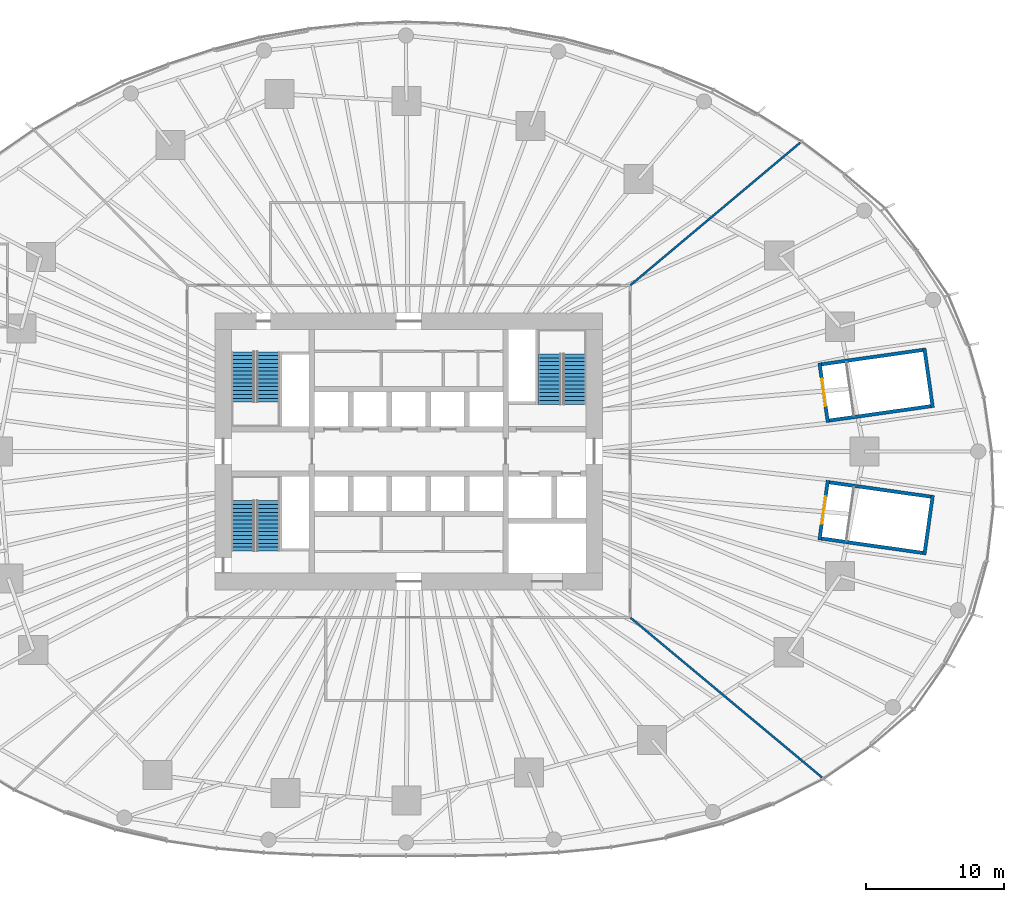
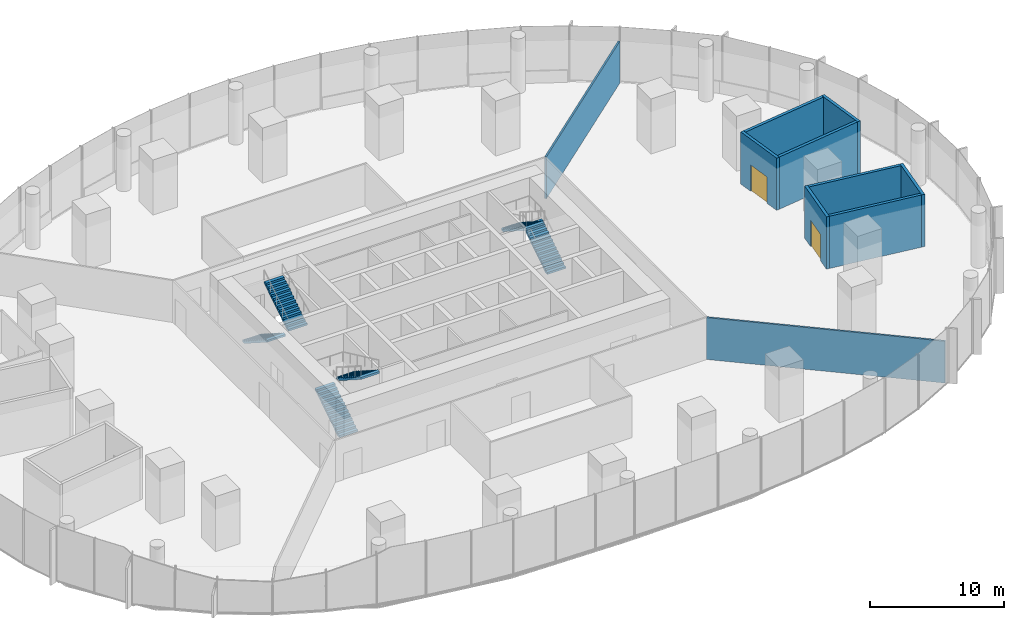
# One storey, part 14 of 27: 10 walls, 6 stair flights, 2 doors, 2 openings, 3 elements without a shape of their own.
"""IFC4 building model written with IfcOpenShell, lengths in metres."""

import ifcopenshell
import ifcopenshell.guid

model = None  # the IFC model being written
_history = None  # IfcOwnerHistory: only IFC2X3 demands one
_inside = {}  # id of a spatial element -> (the spatial element, [elements in it])
_under = {}  # id of a project, library or spatial element -> (it, [spatial elements below it])
_declared = {}  # id of a project -> (the project, [libraries it declares])
_typed = {}  # id of a type object -> (the type object, [elements of that type])
_made_of = {}  # id of a material, layer set ... -> (it, [elements and type objects made of it])


def new_model(schema):
    """Start an empty IFC model of exactly this schema.

    Asked for "IFC4X3", IfcOpenShell would pick the latest addendum, in which some entities
    have other attributes; the version numbers below select the first issue.
    IFC2X3 requires an IfcOwnerHistory on every rooted entity: one is made here for all.
    """
    global model, _history
    if schema == "IFC4X3":
        model = ifcopenshell.file(schema_version=(4, 3, 0, 0))
    else:
        model = ifcopenshell.file(schema=schema)
    _inside.clear()
    _under.clear()
    _declared.clear()
    _typed.clear()
    _made_of.clear()
    _history = None
    if model.schema == "IFC2X3":
        org = make("IfcOrganization", Name="unknown")
        user = make(
            "IfcPersonAndOrganization",
            ThePerson=make("IfcPerson", FamilyName="unknown"),
            TheOrganization=org,
        )
        app = make(
            "IfcApplication",
            ApplicationDeveloper=org,
            Version="unknown",
            ApplicationFullName="unknown",
            ApplicationIdentifier="unknown",
        )
        _history = make(
            "IfcOwnerHistory",
            OwningUser=user,
            OwningApplication=app,
            ChangeAction="ADDED",
            CreationDate=0,
        )
    return model


def make(cls, **values):
    """One entity of the class cls with the attributes given. An attribute that is None is left unset."""
    return model.create_entity(
        cls, **{name: value for name, value in values.items() if value is not None}
    )


def rooted(cls, **values):
    """An entity with a GlobalId (a new one), such as an element, a storey or a relation."""
    return make(cls, GlobalId=ifcopenshell.guid.new(), OwnerHistory=_history, **values)


def si_unit(unit_type, name, prefix=None):
    """IfcSIUnit, for example si_unit("LENGTHUNIT", "METRE", prefix="MILLI")."""
    return make("IfcSIUnit", UnitType=unit_type, Prefix=prefix, Name=name)


def assignment(units):
    """IfcUnitAssignment: the units of a project."""
    return None if units is None else make("IfcUnitAssignment", Units=units)


def point(xyz):
    """IfcCartesianPoint."""
    return None if xyz is None else make("IfcCartesianPoint", Coordinates=xyz)


def direction(xyz):
    """IfcDirection."""
    return None if xyz is None else make("IfcDirection", DirectionRatios=xyz)


def frame(location, z_axis=None, x_axis=None):
    """IfcAxis2Placement3D, a coordinate frame: its origin and axes. An axis left out is left unset."""
    return make(
        "IfcAxis2Placement3D",
        Location=point(location),
        Axis=direction(z_axis),
        RefDirection=direction(x_axis),
    )


def frame_2d(location, x_axis=None):
    """IfcAxis2Placement2D, a coordinate frame in the plane: its origin and x axis."""
    return make(
        "IfcAxis2Placement2D", Location=point(location), RefDirection=direction(x_axis)
    )


def origin():
    """The frame at (0, 0, 0) with its axes left unset."""
    return frame((0.0, 0.0, 0.0))


def place(relative_to, where):
    """IfcLocalPlacement: puts the frame where relative to a parent placement (None: the world)."""
    return make(
        "IfcLocalPlacement", PlacementRelTo=relative_to, RelativePlacement=where
    )


def context(
    kind, dimensions, precision=None, world=None, true_north=None, identifier=None
):
    """IfcGeometricRepresentationContext, for example the 3D "Model" context."""
    return make(
        "IfcGeometricRepresentationContext",
        ContextIdentifier=identifier,
        ContextType=kind,
        CoordinateSpaceDimension=dimensions,
        Precision=precision,
        WorldCoordinateSystem=world,
        TrueNorth=true_north,
    )


def subcontext(parent, identifier, kind, view, scale=None):
    """IfcGeometricRepresentationSubContext, for example "Body" below "Model"."""
    return make(
        "IfcGeometricRepresentationSubContext",
        ContextIdentifier=identifier,
        ContextType=kind,
        ParentContext=parent,
        TargetScale=scale,
        TargetView=view,
    )


def project(units=None, contexts=None):
    """IfcProject with its units and contexts."""
    return rooted(
        "IfcProject",
        Name="project",
        RepresentationContexts=contexts,
        UnitsInContext=assignment(units),
    )


def spatial(cls, under=None, at=None, **own):
    """A site, building, storey or space (cls), placed at a placement, below another one or the project."""
    s = rooted(cls, ObjectPlacement=at, **own)
    if under is not None:
        _under.setdefault(under.id(), (under, []))[1].append(s)
    return s


def polyline(points):
    """IfcPolyline through the points."""
    return make("IfcPolyline", Points=[point(p) for p in points])


def profile(cls, at=None, kind="AREA", **sizes):
    """A parametric profile (cls). Its sizes go by their IFC names, for example OverallWidth=200.0."""
    return make(cls, ProfileType=kind, Position=at, **sizes)


def rectangle(**sizes):
    """IfcRectangleProfileDef."""
    return profile("IfcRectangleProfileDef", **sizes)


def outline(outer, holes=None, kind="AREA"):
    """IfcArbitraryClosedProfileDef: a profile drawn as a closed curve; with holes, ...WithVoids."""
    if holes is None:
        return make("IfcArbitraryClosedProfileDef", ProfileType=kind, OuterCurve=outer)
    return make(
        "IfcArbitraryProfileDefWithVoids",
        ProfileType=kind,
        OuterCurve=outer,
        InnerCurves=holes,
    )


def extrude(swept, where, along, depth):
    """IfcExtrudedAreaSolid: the profile swept, set in the frame where, extruded along a direction by depth."""
    return make(
        "IfcExtrudedAreaSolid",
        SweptArea=swept,
        Position=where,
        ExtrudedDirection=direction(along),
        Depth=depth,
    )


def shape(context_of_items, identifier, shape_type, items):
    """IfcShapeRepresentation: the items that make up one representation, for example the "Body"."""
    return make(
        "IfcShapeRepresentation",
        ContextOfItems=context_of_items,
        RepresentationIdentifier=identifier,
        RepresentationType=shape_type,
        Items=items,
    )


def material(Name=None, Category=None):
    """IfcMaterial."""
    return make("IfcMaterial", Name=Name, Category=Category)


def layer(
    of_material, thickness, ventilated=None, Name=None, Category=None, Priority=None
):
    """IfcMaterialLayer: one layer of a wall or slab, of a material (None: an air gap)."""
    return make(
        "IfcMaterialLayer",
        Material=of_material,
        LayerThickness=thickness,
        IsVentilated=ventilated,
        Name=Name,
        Category=Category,
        Priority=Priority,
    )


def layer_set(layers, Name=None):
    """IfcMaterialLayerSet."""
    return make("IfcMaterialLayerSet", MaterialLayers=layers, LayerSetName=Name)


def made_of(thing, what):
    """Note that an element or type object is made of a material, layer set ...; save() writes the relation."""
    if what is not None:
        _made_of.setdefault(what.id(), (what, []))[1].append(thing)
    return thing


def type_object(cls, material=None, **own):
    """A type object (cls), such as IfcWallType, which elements share."""
    return made_of(rooted(cls, **own), material)


def element(
    cls,
    number,
    at=None,
    inside=None,
    cuts=None,
    type_object=None,
    material=None,
    context=None,
    identifier="Body",
    shape_type=None,
    held_by="IfcProductDefinitionShape",
    body=None,
    shapes=None,
    **own,
):
    """One element of the class cls, such as IfcWall. Its Tag is "e" and its number.

    at: its placement. inside: the storey or other place that contains it. cuts: it is an
    opening in that element (IfcRelVoidsElement). A single representation is given by context,
    identifier, shape_type and body (its items); several are given by shapes. held_by: the class
    of the entity that holds the representations. save() writes the other relations.
    """
    e = rooted(cls, Tag="e%d" % number, ObjectPlacement=at, **own)
    if body is not None:
        shapes = [shape(context, identifier, shape_type, body)]
    if shapes is not None:
        e.Representation = make(held_by, Representations=shapes)
    if inside is not None:
        _inside.setdefault(inside.id(), (inside, []))[1].append(e)
    if cuts is not None:
        rooted(
            "IfcRelVoidsElement", RelatingBuildingElement=cuts, RelatedOpeningElement=e
        )
    if type_object is not None:
        _typed.setdefault(type_object.id(), (type_object, []))[1].append(e)
    return made_of(e, material)


def fill(opening, filler):
    """IfcRelFillsElement: the door or window that sits in an opening."""
    return rooted(
        "IfcRelFillsElement",
        RelatingOpeningElement=opening,
        RelatedBuildingElement=filler,
    )


def aggregate(whole, parts):
    """IfcRelAggregates: a whole, such as a stair, and the parts it consists of."""
    return rooted("IfcRelAggregates", RelatingObject=whole, RelatedObjects=parts)


def save(model, path):
    """Write the relations noted so far, then the file.

    IfcRelAggregates (storeys below a building ...), IfcRelContainedInSpatialStructure (elements
    in a storey), IfcRelDefinesByType, IfcRelAssociatesMaterial and IfcRelDeclares: one each for
    every whole, place, type object, material and project.
    """
    for whole, parts in _under.values():
        aggregate(whole, parts)
    for where, things in _inside.values():
        rooted(
            "IfcRelContainedInSpatialStructure",
            RelatedElements=things,
            RelatingStructure=where,
        )
    for kind, things in _typed.values():
        rooted("IfcRelDefinesByType", RelatedObjects=things, RelatingType=kind)
    for what, things in _made_of.values():
        rooted("IfcRelAssociatesMaterial", RelatedObjects=things, RelatingMaterial=what)
    for by, libraries in _declared.values():
        rooted("IfcRelDeclares", RelatingContext=by, RelatedDefinitions=libraries)
    model.write(path)


model = new_model("IFC4")

# Units and contexts
model_context = context("Model", 3, precision=1e-05, world=origin(), true_north=direction((0.0, 1.0)))
body_context = subcontext(model_context, "Body", "Model", "MODEL_VIEW")
ifc_project = project(units=[si_unit("LENGTHUNIT", "METRE"), si_unit("AREAUNIT", "SQUARE_METRE"), si_unit("VOLUMEUNIT", "CUBIC_METRE"), si_unit("PLANEANGLEUNIT", "RADIAN"), si_unit("MASSUNIT", "GRAM", prefix="KILO")], contexts=[model_context])

# Site, building, storey
site_placement = place(None, origin())
site = spatial("IfcSite", under=ifc_project, at=site_placement, CompositionType="ELEMENT")
building_placement = place(site_placement, origin())
building = spatial("IfcBuilding", under=site, at=building_placement, Name="Ghaith Harvest Tower", CompositionType="ELEMENT")
storey_placement = place(building_placement, frame((0.0, 0.0, 10.0)))
storey = spatial("IfcBuildingStorey", under=building, at=storey_placement, Name="L02", CompositionType="ELEMENT", Elevation=10.0)

# Walls
ifc_material_1 = material(Name="Gypsum board on steel studs", Category="steel")
ifc_layer_1 = layer(ifc_material_1, 0.14990234375)
ifc_layer_set_1 = layer_set([ifc_layer_1], Name="PARTITION 150")
wall_type_1 = type_object("IfcWallType", Name="PARTITION 150", PredefinedType="PARTITIONING", material=ifc_layer_set_1)
wall_1_placement = place(storey_placement, frame((16.015380859375, -12.0126953125, 0.0), z_axis=(0.0, 0.0, 1.0), x_axis=(0.768089154528, -0.640342916488, 0.0)))
element("IfcWall", 1, at=wall_1_placement, inside=storey, type_object=wall_type_1, Name="Partition L02 zone division", PredefinedType="PARTITIONING", context=body_context, shape_type="SweptSolid", body=[
    extrude(rectangle(XDim=18.02587890625, YDim=0.14990234375, at=frame_2d((9.012939453125, 0.0))), origin(), (0.0, 0.0, 1.0), 3.800048828125),
])
wall_2_placement = place(storey_placement, frame((16.015380859375, 12.012939453125, 0.0), z_axis=(0.0, 0.0, 1.0), x_axis=(0.765915114931, 0.642941705538, 0.0)))
element("IfcWall", 2, at=wall_2_placement, inside=storey, type_object=wall_type_1, Name="Partition L02 zone division", PredefinedType="PARTITIONING", context=body_context, shape_type="SweptSolid", body=[
    extrude(rectangle(XDim=16.009521484375, YDim=0.14990234375, at=frame_2d((8.0048828125, 0.0))), origin(), (0.0, 0.0, 1.0), 3.800048828125),
])

# Wall, opening, door
ifc_material_2 = material(Name="Concrete C40/50", Category="concrete")
ifc_layer_2 = layer(ifc_material_2, 0.25)
ifc_layer_set_2 = layer_set([ifc_layer_2], Name="STAIR ENCLOSURE WALL RC250")
wall_type_2 = type_object("IfcWallType", Name="STAIR ENCLOSURE WALL RC250", PredefinedType="SOLIDWALL", material=ifc_layer_set_2)
wall_3_placement = place(storey_placement, frame((30.281005859375, 2.09130859375, 0.0), z_axis=(0.0, 0.0, 1.0), x_axis=(-0.140250538563, 0.990116046952, 0.0)))
wall_3 = element("IfcWall", 3, at=wall_3_placement, inside=storey, type_object=wall_type_2, Name="Stair PS1 enclosure wall L02", PredefinedType="SOLIDWALL", context=body_context, shape_type="SweptSolid", body=[
    extrude(rectangle(XDim=4.35009765625, YDim=0.25, at=frame_2d((2.175048828125, 0.0))), origin(), (0.0, 0.0, 1.0), 4.75),
])
opening_1_placement = place(wall_3_placement, frame((1.175048828125, 0.0, 0.0)))
opening_1 = element("IfcOpeningElement", 4, at=opening_1_placement, cuts=wall_3, Name="Opening 02-024", PredefinedType="OPENING", context=body_context, shape_type="SweptSolid", body=[
    extrude(rectangle(XDim=2.0, YDim=2.39990234375, at=frame_2d((1.0, 1.199951171875))), frame((0.0, 0.135009765625, 0.0), z_axis=(0.0, -1.0, 0.0), x_axis=(1.0, 0.0, 0.0)), (0.0, 0.0, 1.0), 0.27001953125),
])
ifc_material_3 = material(Name="Steel fire door", Category="steel")
door_type = type_object("IfcDoorType", Name="D8 FD90 PAIR 2000x2400", OperationType="DOUBLE_DOOR_SINGLE_SWING", PredefinedType="DOOR", material=ifc_material_3)
door_1_placement = place(opening_1_placement, origin())
door_1 = element("IfcDoor", 5, at=door_1_placement, inside=storey, type_object=door_type, Name="Stair PS1 doors", OperationType="DOUBLE_DOOR_SINGLE_SWING", OverallHeight=2.39990234375, OverallWidth=2.0, PredefinedType="DOOR", context=body_context, shape_type="SweptSolid", body=[
    extrude(rectangle(XDim=2.0, YDim=2.39990234375, at=frame_2d((1.0, 1.199951171875))), frame((0.0, 0.02490234375, 0.0), z_axis=(0.0, -1.0, 0.0), x_axis=(1.0, 0.0, 0.0)), (0.0, 0.0, 1.0), 0.050048828125),
])
fill(opening_1, door_1)

# Walls
wall_4_placement = place(storey_placement, frame((37.245361328125, 7.47119140625, 0.0), z_axis=(0.0, 0.0, 1.0), x_axis=(0.140195519194, -0.99012383892, 0.0)))
element("IfcWall", 6, at=wall_4_placement, inside=storey, type_object=wall_type_2, Name="Stair PS1 enclosure wall L02", PredefinedType="SOLIDWALL", context=body_context, shape_type="SweptSolid", body=[
    extrude(rectangle(XDim=4.35009765625, YDim=0.25, at=frame_2d((2.175048828125, 0.0))), origin(), (0.0, 0.0, 1.0), 4.75),
])
for number, where, z_axis, x_axis, name in (
    (7, (30.38720703125, 2.232666015625, 0.0), (0.0, 0.0, 1.0), (0.990120977541, 0.140215726052, 0.0), "Stair PS1 enclosure wall L02"),
    (8, (37.13916015625, 7.329833984375, 0.0), (0.0, 0.0, 1.0), (-0.990120977541, -0.140215726052, 0.0), "Stair PS1 enclosure wall L02"),
):
    element("IfcWall", number, at=place(storey_placement, frame(where, z_axis=z_axis, x_axis=x_axis)), inside=storey, type_object=wall_type_2, Name=name, PredefinedType="SOLIDWALL", context=body_context, shape_type="SweptSolid", body=[
        extrude(rectangle(XDim=7.39990234375, YDim=0.25, at=frame_2d((3.699951171875, 0.0))), origin(), (0.0, 0.0, 1.0), 4.75),
    ])

# Wall, opening, door
wall_5_placement = place(storey_placement, frame((29.6708984375, -6.3984375, 0.0), z_axis=(0.0, 0.0, 1.0), x_axis=(0.140250538563, 0.990116046952, 0.0)))
wall_5 = element("IfcWall", 9, at=wall_5_placement, inside=storey, type_object=wall_type_2, Name="Stair PS4 enclosure wall L02", PredefinedType="SOLIDWALL", context=body_context, shape_type="SweptSolid", body=[
    extrude(rectangle(XDim=4.35009765625, YDim=0.25, at=frame_2d((2.175048828125, 0.0))), origin(), (0.0, 0.0, 1.0), 4.75),
])
opening_2_placement = place(wall_5_placement, frame((1.175048828125, 0.0, 0.0)))
opening_2 = element("IfcOpeningElement", 10, at=opening_2_placement, cuts=wall_5, Name="Opening 02-027", PredefinedType="OPENING", context=body_context, shape_type="SweptSolid", body=[
    extrude(rectangle(XDim=2.0, YDim=2.39990234375, at=frame_2d((1.0, 1.199951171875))), frame((0.0, 0.135009765625, 0.0), z_axis=(0.0, -1.0, 0.0), x_axis=(1.0, 0.0, 0.0)), (0.0, 0.0, 1.0), 0.27001953125),
])
door_2_placement = place(opening_2_placement, origin())
door_2 = element("IfcDoor", 11, at=door_2_placement, inside=storey, type_object=door_type, Name="Stair PS4 doors", OperationType="DOUBLE_DOOR_SINGLE_SWING", OverallHeight=2.39990234375, OverallWidth=2.0, PredefinedType="DOOR", context=body_context, shape_type="SweptSolid", body=[
    extrude(rectangle(XDim=2.0, YDim=2.39990234375, at=frame_2d((1.0, 1.199951171875))), frame((0.0, 0.02490234375, 0.0), z_axis=(0.0, -1.0, 0.0), x_axis=(1.0, 0.0, 0.0)), (0.0, 0.0, 1.0), 0.050048828125),
])
fill(opening_2, door_2)

# Walls
wall_6_placement = place(storey_placement, frame((37.855224609375, -3.1640625, 0.0), z_axis=(0.0, 0.0, 1.0), x_axis=(-0.140195519194, -0.99012383892, 0.0)))
element("IfcWall", 12, at=wall_6_placement, inside=storey, type_object=wall_type_2, Name="Stair PS4 enclosure wall L02", PredefinedType="SOLIDWALL", context=body_context, shape_type="SweptSolid", body=[
    extrude(rectangle(XDim=4.35009765625, YDim=0.25, at=frame_2d((2.175048828125, 0.0))), origin(), (0.0, 0.0, 1.0), 4.75),
])
for number, where, z_axis, x_axis, name in (
    (13, (29.812255859375, -6.292236328125, 0.0), (0.0, 0.0, 1.0), (0.990120977541, -0.140215726052, 0.0), "Stair PS4 enclosure wall L02"),
    (14, (37.714111328125, -3.270263671875, 0.0), (0.0, 0.0, 1.0), (-0.990120977541, 0.140215726052, 0.0), "Stair PS4 enclosure wall L02"),
):
    element("IfcWall", number, at=place(storey_placement, frame(where, z_axis=z_axis, x_axis=x_axis)), inside=storey, type_object=wall_type_2, Name=name, PredefinedType="SOLIDWALL", context=body_context, shape_type="SweptSolid", body=[
        extrude(rectangle(XDim=7.39990234375, YDim=0.25, at=frame_2d((3.699951171875, 0.0))), origin(), (0.0, 0.0, 1.0), 4.75),
    ])

# Stair, stair flights
ifc_material_4 = material(Name="Concrete C40/50, precast", Category="concrete")
stair_type = type_object("IfcStairType", Name="CORE STAIR 28R", PredefinedType="HALF_TURN_STAIR", material=ifc_material_4)
stair_1_placement = place(storey_placement, origin())
stair_1 = element("IfcStair", 15, at=stair_1_placement, inside=storey, type_object=stair_type, Name="Stair ST1 L02", PredefinedType="HALF_TURN_STAIR")
ifc_material_5 = material(Name="Concrete C40/50, precast", Category="concrete")
stair_flight_type = type_object("IfcStairFlightType", Name="CORE FLIGHT 14R 1600", PredefinedType="STRAIGHT", material=ifc_material_5)
stair_flight_1_placement = place(storey_placement, frame((-12.0, 7.199951171875, 0.0), z_axis=(0.0, 0.0, 1.0), x_axis=(0.0, -1.0, 0.0)))
stair_flight_1 = element("IfcStairFlight", 16, at=stair_flight_1_placement, type_object=stair_flight_type, Name="ST1 flight 1", NumberOfRisers=14, NumberOfTreads=13, PredefinedType="STRAIGHT", RiserHeight=0.178571429, TreadLength=0.28, context=body_context, shape_type="SweptSolid", body=[
    extrude(outline(polyline([(0.0, 0.0), (0.0, 0.178466796875), (0.280029296875, 0.178466796875), (0.280029296875, 0.357177734375), (0.56005859375, 0.357177734375), (0.56005859375, 0.53564453125), (0.840087890625, 0.53564453125), (0.840087890625, 0.71435546875), (1.1201171875, 0.71435546875), (1.1201171875, 0.892822265625), (1.39990234375, 0.892822265625), (1.39990234375, 1.071533203125), (1.679931640625, 1.071533203125), (1.679931640625, 1.25), (1.9599609375, 1.25), (1.9599609375, 1.428466796875), (2.239990234375, 1.428466796875), (2.239990234375, 1.607177734375), (2.52001953125, 1.607177734375), (2.52001953125, 1.78564453125), (2.800048828125, 1.78564453125), (2.800048828125, 1.96435546875), (3.080078125, 1.96435546875), (3.080078125, 2.142822265625), (3.360107421875, 2.142822265625), (3.360107421875, 2.321533203125), (3.639892578125, 2.321533203125), (3.639892578125, 2.5), (3.639892578125, 2.1435546875), (0.27880859375, 0.0), (0.0, 0.0)])), frame((0.0, 0.800048828125, 0.0), z_axis=(0.0, -1.0, 0.0), x_axis=(1.0, 0.0, 0.0)), (0.0, 0.0, 1.0), 1.60009765625),
])
stair_flight_2_placement = place(storey_placement, frame((-10.14990234375, 3.56005859375, 2.5), z_axis=(0.0, 0.0, 1.0), x_axis=(0.0, 1.0, 0.0)))
stair_flight_2 = element("IfcStairFlight", 17, at=stair_flight_2_placement, type_object=stair_flight_type, Name="ST1 flight 2", NumberOfRisers=14, NumberOfTreads=13, PredefinedType="STRAIGHT", RiserHeight=0.178571429, TreadLength=0.28, context=body_context, shape_type="SweptSolid", body=[
    extrude(outline(polyline([(0.0, 0.0), (0.0, 0.178466796875), (0.280029296875, 0.178466796875), (0.280029296875, 0.357177734375), (0.56005859375, 0.357177734375), (0.56005859375, 0.53564453125), (0.840087890625, 0.53564453125), (0.840087890625, 0.71435546875), (1.1201171875, 0.71435546875), (1.1201171875, 0.892822265625), (1.39990234375, 0.892822265625), (1.39990234375, 1.071533203125), (1.679931640625, 1.071533203125), (1.679931640625, 1.25), (1.9599609375, 1.25), (1.9599609375, 1.428466796875), (2.239990234375, 1.428466796875), (2.239990234375, 1.607177734375), (2.52001953125, 1.607177734375), (2.52001953125, 1.78564453125), (2.800048828125, 1.78564453125), (2.800048828125, 1.96435546875), (3.080078125, 1.96435546875), (3.080078125, 2.142822265625), (3.360107421875, 2.142822265625), (3.360107421875, 2.321533203125), (3.639892578125, 2.321533203125), (3.639892578125, 2.5), (3.639892578125, 2.1435546875), (0.27880859375, 0.0), (0.0, 0.0)])), frame((0.0, 0.800048828125, 0.0), z_axis=(0.0, -1.0, 0.0), x_axis=(1.0, 0.0, 0.0)), (0.0, 0.0, 1.0), 1.60009765625),
])
aggregate(stair_1, [stair_flight_1, stair_flight_2])

stair_2_placement = place(storey_placement, origin())
stair_2 = element("IfcStair", 18, at=stair_2_placement, inside=storey, type_object=stair_type, Name="Stair ST3 L02", PredefinedType="HALF_TURN_STAIR")
stair_flight_3_placement = place(storey_placement, frame((-12.0, -7.199951171875, 0.0), z_axis=(0.0, 0.0, 1.0), x_axis=(0.0, 1.0, 0.0)))
stair_flight_3 = element("IfcStairFlight", 19, at=stair_flight_3_placement, type_object=stair_flight_type, Name="ST3 flight 1", NumberOfRisers=14, NumberOfTreads=13, PredefinedType="STRAIGHT", RiserHeight=0.178571429, TreadLength=0.28, context=body_context, shape_type="SweptSolid", body=[
    extrude(outline(polyline([(0.0, 0.0), (0.0, 0.178466796875), (0.280029296875, 0.178466796875), (0.280029296875, 0.357177734375), (0.56005859375, 0.357177734375), (0.56005859375, 0.53564453125), (0.840087890625, 0.53564453125), (0.840087890625, 0.71435546875), (1.1201171875, 0.71435546875), (1.1201171875, 0.892822265625), (1.39990234375, 0.892822265625), (1.39990234375, 1.071533203125), (1.679931640625, 1.071533203125), (1.679931640625, 1.25), (1.9599609375, 1.25), (1.9599609375, 1.428466796875), (2.239990234375, 1.428466796875), (2.239990234375, 1.607177734375), (2.52001953125, 1.607177734375), (2.52001953125, 1.78564453125), (2.800048828125, 1.78564453125), (2.800048828125, 1.96435546875), (3.080078125, 1.96435546875), (3.080078125, 2.142822265625), (3.360107421875, 2.142822265625), (3.360107421875, 2.321533203125), (3.639892578125, 2.321533203125), (3.639892578125, 2.5), (3.639892578125, 2.1435546875), (0.27880859375, 0.0), (0.0, 0.0)])), frame((0.0, 0.800048828125, 0.0), z_axis=(0.0, -1.0, 0.0), x_axis=(1.0, 0.0, 0.0)), (0.0, 0.0, 1.0), 1.60009765625),
])
stair_flight_4_placement = place(storey_placement, frame((-10.14990234375, -3.56005859375, 2.5), z_axis=(0.0, 0.0, 1.0), x_axis=(0.0, -1.0, 0.0)))
stair_flight_4 = element("IfcStairFlight", 20, at=stair_flight_4_placement, type_object=stair_flight_type, Name="ST3 flight 2", NumberOfRisers=14, NumberOfTreads=13, PredefinedType="STRAIGHT", RiserHeight=0.178571429, TreadLength=0.28, context=body_context, shape_type="SweptSolid", body=[
    extrude(outline(polyline([(0.0, 0.0), (0.0, 0.178466796875), (0.280029296875, 0.178466796875), (0.280029296875, 0.357177734375), (0.56005859375, 0.357177734375), (0.56005859375, 0.53564453125), (0.840087890625, 0.53564453125), (0.840087890625, 0.71435546875), (1.1201171875, 0.71435546875), (1.1201171875, 0.892822265625), (1.39990234375, 0.892822265625), (1.39990234375, 1.071533203125), (1.679931640625, 1.071533203125), (1.679931640625, 1.25), (1.9599609375, 1.25), (1.9599609375, 1.428466796875), (2.239990234375, 1.428466796875), (2.239990234375, 1.607177734375), (2.52001953125, 1.607177734375), (2.52001953125, 1.78564453125), (2.800048828125, 1.78564453125), (2.800048828125, 1.96435546875), (3.080078125, 1.96435546875), (3.080078125, 2.142822265625), (3.360107421875, 2.142822265625), (3.360107421875, 2.321533203125), (3.639892578125, 2.321533203125), (3.639892578125, 2.5), (3.639892578125, 2.1435546875), (0.27880859375, 0.0), (0.0, 0.0)])), frame((0.0, 0.800048828125, 0.0), z_axis=(0.0, -1.0, 0.0), x_axis=(1.0, 0.0, 0.0)), (0.0, 0.0, 1.0), 1.60009765625),
])
aggregate(stair_2, [stair_flight_3, stair_flight_4])

stair_3_placement = place(storey_placement, origin())
stair_3 = element("IfcStair", 21, at=stair_3_placement, inside=storey, type_object=stair_type, Name="Stair ST2 L02", PredefinedType="HALF_TURN_STAIR")
stair_flight_5_placement = place(storey_placement, frame((12.0, 3.39990234375, 0.0), z_axis=(0.0, 0.0, 1.0), x_axis=(0.0, 1.0, 0.0)))
stair_flight_5 = element("IfcStairFlight", 22, at=stair_flight_5_placement, type_object=stair_flight_type, Name="ST2 flight 1", NumberOfRisers=14, NumberOfTreads=13, PredefinedType="STRAIGHT", RiserHeight=0.178571429, TreadLength=0.28, context=body_context, shape_type="SweptSolid", body=[
    extrude(outline(polyline([(0.0, 0.0), (0.0, 0.178466796875), (0.280029296875, 0.178466796875), (0.280029296875, 0.357177734375), (0.56005859375, 0.357177734375), (0.56005859375, 0.53564453125), (0.840087890625, 0.53564453125), (0.840087890625, 0.71435546875), (1.1201171875, 0.71435546875), (1.1201171875, 0.892822265625), (1.39990234375, 0.892822265625), (1.39990234375, 1.071533203125), (1.679931640625, 1.071533203125), (1.679931640625, 1.25), (1.9599609375, 1.25), (1.9599609375, 1.428466796875), (2.239990234375, 1.428466796875), (2.239990234375, 1.607177734375), (2.52001953125, 1.607177734375), (2.52001953125, 1.78564453125), (2.800048828125, 1.78564453125), (2.800048828125, 1.96435546875), (3.080078125, 1.96435546875), (3.080078125, 2.142822265625), (3.360107421875, 2.142822265625), (3.360107421875, 2.321533203125), (3.639892578125, 2.321533203125), (3.639892578125, 2.5), (3.639892578125, 2.1435546875), (0.27880859375, 0.0), (0.0, 0.0)])), frame((0.0, 0.800048828125, 0.0), z_axis=(0.0, -1.0, 0.0), x_axis=(1.0, 0.0, 0.0)), (0.0, 0.0, 1.0), 1.60009765625),
])
stair_flight_6_placement = place(storey_placement, frame((10.14990234375, 7.0400390625, 2.5), z_axis=(0.0, 0.0, 1.0), x_axis=(0.0, -1.0, 0.0)))
stair_flight_6 = element("IfcStairFlight", 23, at=stair_flight_6_placement, type_object=stair_flight_type, Name="ST2 flight 2", NumberOfRisers=14, NumberOfTreads=13, PredefinedType="STRAIGHT", RiserHeight=0.178571429, TreadLength=0.28, context=body_context, shape_type="SweptSolid", body=[
    extrude(outline(polyline([(0.0, 0.0), (0.0, 0.178466796875), (0.280029296875, 0.178466796875), (0.280029296875, 0.357177734375), (0.56005859375, 0.357177734375), (0.56005859375, 0.53564453125), (0.840087890625, 0.53564453125), (0.840087890625, 0.71435546875), (1.1201171875, 0.71435546875), (1.1201171875, 0.892822265625), (1.39990234375, 0.892822265625), (1.39990234375, 1.071533203125), (1.679931640625, 1.071533203125), (1.679931640625, 1.25), (1.9599609375, 1.25), (1.9599609375, 1.428466796875), (2.239990234375, 1.428466796875), (2.239990234375, 1.607177734375), (2.52001953125, 1.607177734375), (2.52001953125, 1.78564453125), (2.800048828125, 1.78564453125), (2.800048828125, 1.96435546875), (3.080078125, 1.96435546875), (3.080078125, 2.142822265625), (3.360107421875, 2.142822265625), (3.360107421875, 2.321533203125), (3.639892578125, 2.321533203125), (3.639892578125, 2.5), (3.639892578125, 2.1435546875), (0.27880859375, 0.0), (0.0, 0.0)])), frame((0.0, 0.800048828125, 0.0), z_axis=(0.0, -1.0, 0.0), x_axis=(1.0, 0.0, 0.0)), (0.0, 0.0, 1.0), 1.60009765625),
])
aggregate(stair_3, [stair_flight_5, stair_flight_6])

save(model, "model.ifc")
